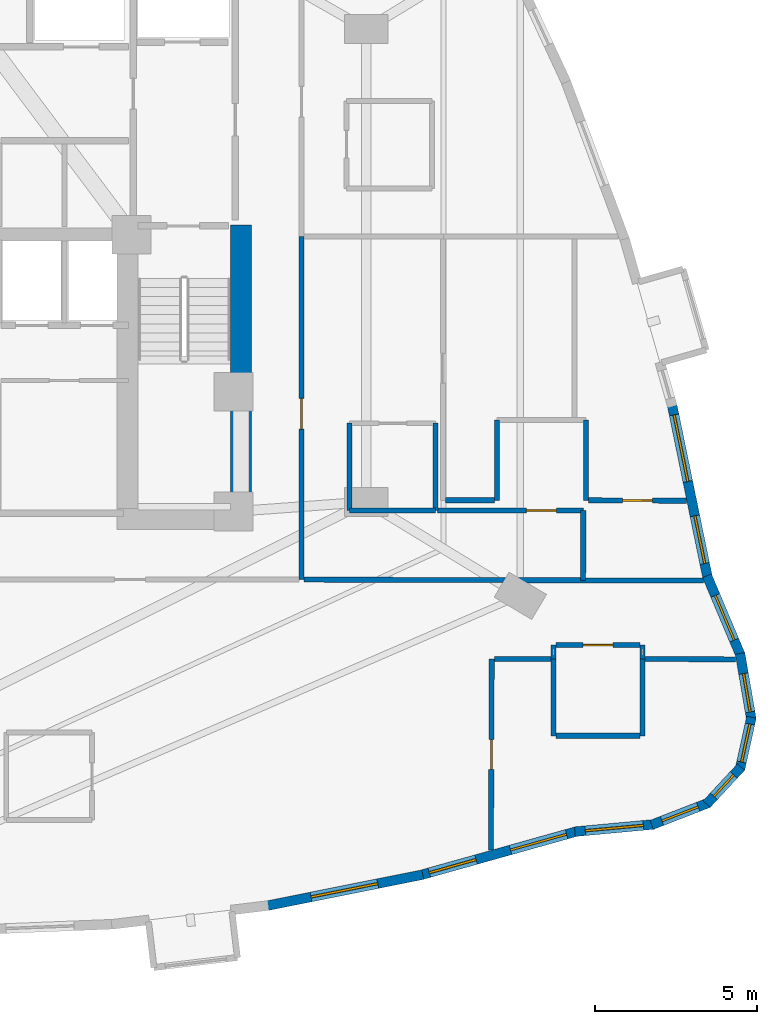
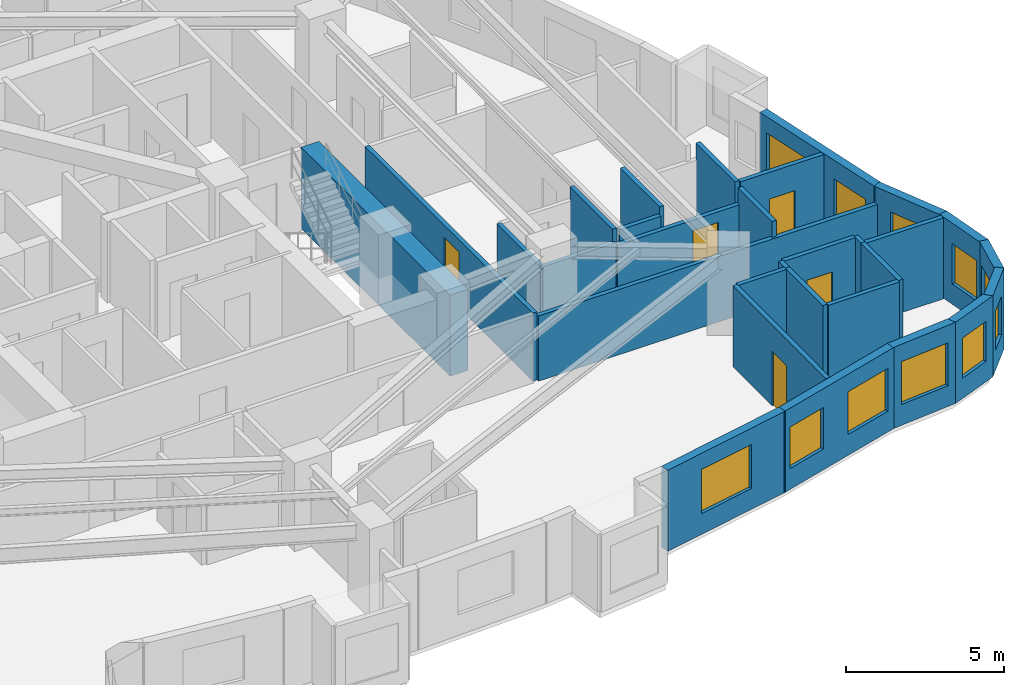
# One storey, part 9 of 13: 30 walls, 11 windows, 5 doors, 16 openings.
"""IFC4 building model written with IfcOpenShell, lengths in metres."""

from ifc_helpers import new_model, si_unit, direction, frame, frame_2d, origin, place, context, subcontext, project, spatial, rectangle, extrude, material, layer, layer_set, type_object, element, fill, save


model = new_model("IFC4")

# Units and contexts
model_context = context("Model", 3, precision=1e-05, world=origin(), true_north=direction((0.0, 1.0)))
body_context = subcontext(model_context, "Body", "Model", "MODEL_VIEW")
ifc_project = project(units=[si_unit("LENGTHUNIT", "METRE"), si_unit("AREAUNIT", "SQUARE_METRE"), si_unit("VOLUMEUNIT", "CUBIC_METRE"), si_unit("PLANEANGLEUNIT", "RADIAN"), si_unit("MASSUNIT", "GRAM", prefix="KILO")], contexts=[model_context])

# Site, building, storey
site_placement = place(None, origin())
site = spatial("IfcSite", under=ifc_project, at=site_placement, CompositionType="ELEMENT")
building_placement = place(site_placement, origin())
building = spatial("IfcBuilding", under=site, at=building_placement, Name="Miruveldt Soraemaru", CompositionType="ELEMENT")
storey_placement = place(building_placement, frame((0.0, 0.0, 63.199951171875)))
storey = spatial("IfcBuildingStorey", under=building, at=storey_placement, Name="L17", CompositionType="ELEMENT", Elevation=63.199951171875)

# Wall
ifc_material_1 = material(Name="Concrete C80/95 (80 MPa)", Category="concrete")
ifc_layer_1 = layer(ifc_material_1, 0.64990234375, Name="Concrete C80/95 (80 MPa)", Category="concrete")
ifc_layer_set_1 = layer_set([ifc_layer_1], Name="Concrete C80/95 (80 MPa)")
wall_type_1 = type_object("IfcWallType", Name="WALL-CW-650", PredefinedType="SHEAR", material=ifc_layer_set_1)
wall_1_placement = place(storey_placement, frame((52.72509765625, 34.949951171875, 0.0), z_axis=(0.0, 0.0, 1.0), x_axis=(0.0, 1.0, 0.0)))
element("IfcWall", 1, at=wall_1_placement, inside=storey, type_object=wall_type_1, Name="L17 Central Core Shear Wall E1", PredefinedType="SHEAR", context=body_context, shape_type="SweptSolid", body=[
    extrude(rectangle(XDim=9.400146484375, YDim=0.64990234375, at=frame_2d((4.7001953125, 0.0))), origin(), (0.0, 0.0, 1.0), 3.125),
])

# Wall, opening, window
ifc_material_2 = material(Name="Precast concrete C45/55 (45 MPa)", Category="concrete")
ifc_layer_2 = layer(ifc_material_2, 0.300048828125, Name="Precast concrete C45/55 (45 MPa)", Category="concrete")
ifc_layer_set_2 = layer_set([ifc_layer_2], Name="Precast concrete C45/55 (45 MPa)")
wall_type_2 = type_object("IfcWallType", Name="WALL-EXT-PC300", PredefinedType="SOLIDWALL", material=ifc_layer_set_2)
wall_2_placement = place(storey_placement, frame((53.50390625, 23.322265625, 0.0), z_axis=(0.0, 0.0, 1.0), x_axis=(0.980580675691, 0.196116135138, 0.0)))
wall_2 = element("IfcWall", 2, at=wall_2_placement, inside=storey, type_object=wall_type_2, Name="L17 Precast Concrete Facade Wall 27", PredefinedType="SOLIDWALL", context=body_context, shape_type="SweptSolid", body=[
    extrude(rectangle(XDim=4.933349609375, YDim=0.300048828125, at=frame_2d((2.466796875, 0.0))), origin(), (0.0, 0.0, 1.0), 3.125),
])
opening_1_placement = place(wall_2_placement, frame((1.416015625, 0.0, 0.800048828125)))
opening_1 = element("IfcOpeningElement", 3, at=opening_1_placement, cuts=wall_2, Name="Opening WN-1", PredefinedType="OPENING", context=body_context, shape_type="SweptSolid", body=[
    extrude(rectangle(XDim=2.10009765625, YDim=1.699951171875, at=frame_2d((1.050048828125, 0.85009765625))), frame((0.0, 0.16015625, 0.0), z_axis=(0.0, -1.0, 0.0), x_axis=(1.0, 0.0, 0.0)), (0.0, 0.0, 1.0), 0.320068359375),
])
ifc_material_3 = material(Name="Triple low-e insulated glazing", Category="glass")
window_type_1 = type_object("IfcWindowType", Name="WIN-PUNCH-2100x1700", PartitioningType="SINGLE_PANEL", PredefinedType="WINDOW", material=ifc_material_3)
window_1_placement = place(opening_1_placement, origin())
window_1 = element("IfcWindow", 4, at=window_1_placement, inside=storey, type_object=window_type_1, Name="L17 Punched Triple-Glazed Window 27.1", OverallHeight=1.699951171875, OverallWidth=2.10009765625, PartitioningType="SINGLE_PANEL", PredefinedType="WINDOW", context=body_context, shape_type="SweptSolid", body=[
    extrude(rectangle(XDim=2.10009765625, YDim=1.699951171875, at=frame_2d((1.050048828125, 0.85009765625))), frame((0.0, 0.030029296875, 0.0), z_axis=(0.0, -1.0, 0.0), x_axis=(1.0, 0.0, 0.0)), (0.0, 0.0, 1.0), 0.06005859375),
])
fill(opening_1, window_1)

# Wall, openings, windows
wall_3_placement = place(storey_placement, frame((58.2734375, 24.2734375, 0.0), z_axis=(0.0, 0.0, 1.0), x_axis=(0.962965029361, 0.269626319614, 0.0)))
wall_3 = element("IfcWall", 5, at=wall_3_placement, inside=storey, type_object=wall_type_2, Name="L17 Precast Concrete Facade Wall 28", PredefinedType="SOLIDWALL", context=body_context, shape_type="SweptSolid", body=[
    extrude(rectangle(XDim=5.022705078125, YDim=0.300048828125, at=frame_2d((2.51123046875, 0.0))), origin(), (0.0, 0.0, 1.0), 3.125),
])
opening_2_placement = place(wall_3_placement, frame((0.281982421875, 0.0, 0.800048828125)))
opening_2 = element("IfcOpeningElement", 6, at=opening_2_placement, cuts=wall_3, Name="Opening WN-3", PredefinedType="OPENING", context=body_context, shape_type="SweptSolid", body=[
    extrude(rectangle(XDim=1.5, YDim=1.60009765625, at=frame_2d((0.75, 0.800048828125))), frame((0.0, 0.16015625, 0.0), z_axis=(0.0, -1.0, 0.0), x_axis=(1.0, 0.0, 0.0)), (0.0, 0.0, 1.0), 0.320068359375),
])
opening_3_placement = place(wall_3_placement, frame((2.884033203125, 0.0, 0.800048828125)))
opening_3 = element("IfcOpeningElement", 7, at=opening_3_placement, cuts=wall_3, Name="Opening WN-2", PredefinedType="OPENING", context=body_context, shape_type="SweptSolid", body=[
    extrude(rectangle(XDim=1.800048828125, YDim=1.64990234375, at=frame_2d((0.89990234375, 0.824951171875))), frame((0.0, 0.16015625, 0.0), z_axis=(0.0, -1.0, 0.0), x_axis=(1.0, 0.0, 0.0)), (0.0, 0.0, 1.0), 0.320068359375),
])
window_type_2 = type_object("IfcWindowType", Name="WIN-PUNCH-1500x1600", PartitioningType="SINGLE_PANEL", PredefinedType="WINDOW", material=ifc_material_3)
window_2_placement = place(opening_2_placement, origin())
window_2 = element("IfcWindow", 8, at=window_2_placement, inside=storey, type_object=window_type_2, Name="L17 Punched Triple-Glazed Window 28.1", OverallHeight=1.60009765625, OverallWidth=1.5, PartitioningType="SINGLE_PANEL", PredefinedType="WINDOW", context=body_context, shape_type="SweptSolid", body=[
    extrude(rectangle(XDim=1.5, YDim=1.60009765625, at=frame_2d((0.75, 0.800048828125))), frame((0.0, 0.030029296875, 0.0), z_axis=(0.0, -1.0, 0.0), x_axis=(1.0, 0.0, 0.0)), (0.0, 0.0, 1.0), 0.06005859375),
])
fill(opening_2, window_2)
window_type_3 = type_object("IfcWindowType", Name="WIN-PUNCH-1800x1650", PartitioningType="SINGLE_PANEL", PredefinedType="WINDOW", material=ifc_material_3)
window_3_placement = place(opening_3_placement, origin())
window_3 = element("IfcWindow", 9, at=window_3_placement, inside=storey, type_object=window_type_3, Name="L17 Punched Triple-Glazed Window 28.2", OverallHeight=1.64990234375, OverallWidth=1.800048828125, PartitioningType="SINGLE_PANEL", PredefinedType="WINDOW", context=body_context, shape_type="SweptSolid", body=[
    extrude(rectangle(XDim=1.800048828125, YDim=1.64990234375, at=frame_2d((0.89990234375, 0.824951171875))), frame((0.0, 0.030029296875, 0.0), z_axis=(0.0, -1.0, 0.0), x_axis=(1.0, 0.0, 0.0)), (0.0, 0.0, 1.0), 0.06005859375),
])
fill(opening_3, window_3)

# Wall, opening, window
wall_4_placement = place(storey_placement, frame((63.04150390625, 25.614990234375, 0.0), z_axis=(0.0, 0.0, 1.0), x_axis=(0.995757962067, 0.092011308982, 0.0)))
wall_4 = element("IfcWall", 10, at=wall_4_placement, inside=storey, type_object=wall_type_2, Name="L17 Precast Concrete Facade Wall 29", PredefinedType="SOLIDWALL", context=body_context, shape_type="SweptSolid", body=[
    extrude(rectangle(XDim=2.446533203125, YDim=0.300048828125, at=frame_2d((1.22314453125, 0.0))), origin(), (0.0, 0.0, 1.0), 3.125),
])
opening_4_placement = place(wall_4_placement, frame((0.323974609375, 0.0, 0.800048828125)))
opening_4 = element("IfcOpeningElement", 11, at=opening_4_placement, cuts=wall_4, Name="Opening WN-2", PredefinedType="OPENING", context=body_context, shape_type="SweptSolid", body=[
    extrude(rectangle(XDim=1.800048828125, YDim=1.64990234375, at=frame_2d((0.89990234375, 0.824951171875))), frame((0.0, 0.16015625, 0.0), z_axis=(0.0, -1.0, 0.0), x_axis=(1.0, 0.0, 0.0)), (0.0, 0.0, 1.0), 0.320068359375),
])
window_4_placement = place(opening_4_placement, origin())
window_4 = element("IfcWindow", 12, at=window_4_placement, inside=storey, type_object=window_type_3, Name="L17 Punched Triple-Glazed Window 29.1", OverallHeight=1.64990234375, OverallWidth=1.800048828125, PartitioningType="SINGLE_PANEL", PredefinedType="WINDOW", context=body_context, shape_type="SweptSolid", body=[
    extrude(rectangle(XDim=1.800048828125, YDim=1.64990234375, at=frame_2d((0.89990234375, 0.824951171875))), frame((0.0, 0.030029296875, 0.0), z_axis=(0.0, -1.0, 0.0), x_axis=(1.0, 0.0, 0.0)), (0.0, 0.0, 1.0), 0.06005859375),
])
fill(opening_4, window_4)

wall_5_placement = place(storey_placement, frame((65.41015625, 25.82421875, 0.0), z_axis=(0.0, 0.0, 1.0), x_axis=(0.932272084915, 0.361757874397, 0.0)))
wall_5 = element("IfcWall", 13, at=wall_5_placement, inside=storey, type_object=wall_type_2, Name="L17 Precast Concrete Facade Wall 30", PredefinedType="SOLIDWALL", context=body_context, shape_type="SweptSolid", body=[
    extrude(rectangle(XDim=1.8828125, YDim=0.300048828125, at=frame_2d((0.94140625, 0.0))), origin(), (0.0, 0.0, 1.0), 3.125),
])
opening_5_placement = place(wall_5_placement, frame((0.342041015625, 0.0, 0.780029296875)))
opening_5 = element("IfcOpeningElement", 14, at=opening_5_placement, cuts=wall_5, Name="Opening WN-4", PredefinedType="OPENING", context=body_context, shape_type="SweptSolid", body=[
    extrude(rectangle(XDim=1.199951171875, YDim=1.550048828125, at=frame_2d((0.60009765625, 0.77490234375))), frame((0.0, 0.16015625, 0.0), z_axis=(0.0, -1.0, 0.0), x_axis=(1.0, 0.0, 0.0)), (0.0, 0.0, 1.0), 0.320068359375),
])
window_type_4 = type_object("IfcWindowType", Name="WIN-PUNCH-1200x1550", PartitioningType="SINGLE_PANEL", PredefinedType="WINDOW", material=ifc_material_3)
window_5_placement = place(opening_5_placement, origin())
window_5 = element("IfcWindow", 15, at=window_5_placement, inside=storey, type_object=window_type_4, Name="L17 Punched Triple-Glazed Window 30.1", OverallHeight=1.550048828125, OverallWidth=1.199951171875, PartitioningType="SINGLE_PANEL", PredefinedType="WINDOW", context=body_context, shape_type="SweptSolid", body=[
    extrude(rectangle(XDim=1.199951171875, YDim=1.550048828125, at=frame_2d((0.60009765625, 0.77490234375))), frame((0.0, 0.030029296875, 0.0), z_axis=(0.0, -1.0, 0.0), x_axis=(1.0, 0.0, 0.0)), (0.0, 0.0, 1.0), 0.06005859375),
])
fill(opening_5, window_5)

wall_6_placement = place(storey_placement, frame((67.109130859375, 26.466796875, 0.0), z_axis=(0.0, 0.0, 1.0), x_axis=(0.68010312741, 0.733116454656, 0.0)))
wall_6 = element("IfcWall", 16, at=wall_6_placement, inside=storey, type_object=wall_type_2, Name="L17 Precast Concrete Facade Wall 31", PredefinedType="SOLIDWALL", context=body_context, shape_type="SweptSolid", body=[
    extrude(rectangle(XDim=1.561279296875, YDim=0.300048828125, at=frame_2d((0.78076171875, 0.0))), origin(), (0.0, 0.0, 1.0), 3.125),
])
opening_6_placement = place(wall_6_placement, frame((0.330078125, 0.0, 0.780029296875)))
opening_6 = element("IfcOpeningElement", 17, at=opening_6_placement, cuts=wall_6, Name="Opening WN-7", PredefinedType="OPENING", context=body_context, shape_type="SweptSolid", body=[
    extrude(rectangle(XDim=0.89990234375, YDim=1.5, at=frame_2d((0.449951171875, 0.75))), frame((0.0, 0.16015625, 0.0), z_axis=(0.0, -1.0, 0.0), x_axis=(1.0, 0.0, 0.0)), (0.0, 0.0, 1.0), 0.320068359375),
])
window_type_5 = type_object("IfcWindowType", Name="WIN-PUNCH-900x1500", PartitioningType="SINGLE_PANEL", PredefinedType="WINDOW", material=ifc_material_3)
window_6_placement = place(opening_6_placement, origin())
window_6 = element("IfcWindow", 18, at=window_6_placement, inside=storey, type_object=window_type_5, Name="L17 Punched Triple-Glazed Window 31.1", OverallHeight=1.5, OverallWidth=0.89990234375, PartitioningType="SINGLE_PANEL", PredefinedType="WINDOW", context=body_context, shape_type="SweptSolid", body=[
    extrude(rectangle(XDim=0.89990234375, YDim=1.5, at=frame_2d((0.449951171875, 0.75))), frame((0.0, 0.030029296875, 0.0), z_axis=(0.0, -1.0, 0.0), x_axis=(1.0, 0.0, 0.0)), (0.0, 0.0, 1.0), 0.06005859375),
])
fill(opening_6, window_6)

wall_7_placement = place(storey_placement, frame((68.1396484375, 27.551513671875, 0.0), z_axis=(0.0, 0.0, 1.0), x_axis=(0.215809114489, 0.976435571916, 0.0)))
wall_7 = element("IfcWall", 19, at=wall_7_placement, inside=storey, type_object=wall_type_2, Name="L17 Precast Concrete Facade Wall 32", PredefinedType="SOLIDWALL", context=body_context, shape_type="SweptSolid", body=[
    extrude(rectangle(XDim=1.636962890625, YDim=0.300048828125, at=frame_2d((0.818359375, 0.0))), origin(), (0.0, 0.0, 1.0), 3.125),
])
opening_7_placement = place(wall_7_placement, frame((0.218994140625, 0.0, 0.780029296875)))
opening_7 = element("IfcOpeningElement", 20, at=opening_7_placement, cuts=wall_7, Name="Opening WN-4", PredefinedType="OPENING", context=body_context, shape_type="SweptSolid", body=[
    extrude(rectangle(XDim=1.199951171875, YDim=1.550048828125, at=frame_2d((0.60009765625, 0.77490234375))), frame((0.0, 0.16015625, 0.0), z_axis=(0.0, -1.0, 0.0), x_axis=(1.0, 0.0, 0.0)), (0.0, 0.0, 1.0), 0.320068359375),
])
window_7_placement = place(opening_7_placement, origin())
window_7 = element("IfcWindow", 21, at=window_7_placement, inside=storey, type_object=window_type_4, Name="L17 Punched Triple-Glazed Window 32.1", OverallHeight=1.550048828125, OverallWidth=1.199951171875, PartitioningType="SINGLE_PANEL", PredefinedType="WINDOW", context=body_context, shape_type="SweptSolid", body=[
    extrude(rectangle(XDim=1.199951171875, YDim=1.550048828125, at=frame_2d((0.60009765625, 0.77490234375))), frame((0.0, 0.030029296875, 0.0), z_axis=(0.0, -1.0, 0.0), x_axis=(1.0, 0.0, 0.0)), (0.0, 0.0, 1.0), 0.06005859375),
])
fill(opening_7, window_7)

wall_8_placement = place(storey_placement, frame((68.4912109375, 29.081298828125, 0.0), z_axis=(0.0, 0.0, 1.0), x_axis=(-0.169321278281, 0.985560908682, 0.0)))
wall_8 = element("IfcWall", 22, at=wall_8_placement, inside=storey, type_object=wall_type_2, Name="L17 Precast Concrete Facade Wall 33", PredefinedType="SOLIDWALL", context=body_context, shape_type="SweptSolid", body=[
    extrude(rectangle(XDim=2.066162109375, YDim=0.300048828125, at=frame_2d((1.033203125, 0.0))), origin(), (0.0, 0.0, 1.0), 3.125),
])
opening_8_placement = place(wall_8_placement, frame((0.235107421875, 0.0, 0.780029296875)))
opening_8 = element("IfcOpeningElement", 23, at=opening_8_placement, cuts=wall_8, Name="Opening WN-4", PredefinedType="OPENING", context=body_context, shape_type="SweptSolid", body=[
    extrude(rectangle(XDim=1.199951171875, YDim=1.550048828125, at=frame_2d((0.60009765625, 0.77490234375))), frame((0.0, 0.16015625, 0.0), z_axis=(0.0, -1.0, 0.0), x_axis=(1.0, 0.0, 0.0)), (0.0, 0.0, 1.0), 0.320068359375),
])
window_8_placement = place(opening_8_placement, origin())
window_8 = element("IfcWindow", 24, at=window_8_placement, inside=storey, type_object=window_type_4, Name="L17 Punched Triple-Glazed Window 33.1", OverallHeight=1.550048828125, OverallWidth=1.199951171875, PartitioningType="SINGLE_PANEL", PredefinedType="WINDOW", context=body_context, shape_type="SweptSolid", body=[
    extrude(rectangle(XDim=1.199951171875, YDim=1.550048828125, at=frame_2d((0.60009765625, 0.77490234375))), frame((0.0, 0.030029296875, 0.0), z_axis=(0.0, -1.0, 0.0), x_axis=(1.0, 0.0, 0.0)), (0.0, 0.0, 1.0), 0.06005859375),
])
fill(opening_8, window_8)

wall_9_placement = place(storey_placement, frame((68.160888671875, 31.051025390625, 0.0), z_axis=(0.0, 0.0, 1.0), x_axis=(-0.388667876127, 0.921377925754, 0.0)))
wall_9 = element("IfcWall", 25, at=wall_9_placement, inside=storey, type_object=wall_type_2, Name="L17 Precast Concrete Facade Wall 34", PredefinedType="SOLIDWALL", context=body_context, shape_type="SweptSolid", body=[
    extrude(rectangle(XDim=2.6796875, YDim=0.300048828125, at=frame_2d((1.33984375, 0.0))), origin(), (0.0, 0.0, 1.0), 3.125),
])
opening_9_placement = place(wall_9_placement, frame((0.52001953125, 0.0, 0.800048828125)))
opening_9 = element("IfcOpeningElement", 26, at=opening_9_placement, cuts=wall_9, Name="Opening WN-3", PredefinedType="OPENING", context=body_context, shape_type="SweptSolid", body=[
    extrude(rectangle(XDim=1.5, YDim=1.60009765625, at=frame_2d((0.75, 0.800048828125))), frame((0.0, 0.16015625, 0.0), z_axis=(0.0, -1.0, 0.0), x_axis=(1.0, 0.0, 0.0)), (0.0, 0.0, 1.0), 0.320068359375),
])
window_9_placement = place(opening_9_placement, origin())
window_9 = element("IfcWindow", 27, at=window_9_placement, inside=storey, type_object=window_type_2, Name="L17 Punched Triple-Glazed Window 34.1", OverallHeight=1.60009765625, OverallWidth=1.5, PartitioningType="SINGLE_PANEL", PredefinedType="WINDOW", context=body_context, shape_type="SweptSolid", body=[
    extrude(rectangle(XDim=1.5, YDim=1.60009765625, at=frame_2d((0.75, 0.800048828125))), frame((0.0, 0.030029296875, 0.0), z_axis=(0.0, -1.0, 0.0), x_axis=(1.0, 0.0, 0.0)), (0.0, 0.0, 1.0), 0.06005859375),
])
fill(opening_9, window_9)

# Wall, openings, windows
wall_10_placement = place(storey_placement, frame((67.14013671875, 33.45361328125, 0.0), z_axis=(0.0, 0.0, 1.0), x_axis=(-0.201576162265, 0.979472843323, 0.0)))
wall_10 = element("IfcWall", 28, at=wall_10_placement, inside=storey, type_object=wall_type_2, Name="L17 Precast Concrete Facade Wall 35", PredefinedType="SOLIDWALL", context=body_context, shape_type="SweptSolid", body=[
    extrude(rectangle(XDim=5.474365234375, YDim=0.300048828125, at=frame_2d((2.7373046875, 0.0))), origin(), (0.0, 0.0, 1.0), 3.125),
])
opening_10_placement = place(wall_10_placement, frame((0.4541015625, 0.0, 0.800048828125)))
opening_10 = element("IfcOpeningElement", 29, at=opening_10_placement, cuts=wall_10, Name="Opening WN-3", PredefinedType="OPENING", context=body_context, shape_type="SweptSolid", body=[
    extrude(rectangle(XDim=1.5, YDim=1.60009765625, at=frame_2d((0.75, 0.800048828125))), frame((0.0, 0.16015625, 0.0), z_axis=(0.0, -1.0, 0.0), x_axis=(1.0, 0.0, 0.0)), (0.0, 0.0, 1.0), 0.320068359375),
])
opening_11_placement = place(wall_10_placement, frame((3.0380859375, 0.0, 0.800048828125)))
opening_11 = element("IfcOpeningElement", 30, at=opening_11_placement, cuts=wall_10, Name="Opening WN-1", PredefinedType="OPENING", context=body_context, shape_type="SweptSolid", body=[
    extrude(rectangle(XDim=2.10009765625, YDim=1.699951171875, at=frame_2d((1.050048828125, 0.85009765625))), frame((0.0, 0.16015625, 0.0), z_axis=(0.0, -1.0, 0.0), x_axis=(1.0, 0.0, 0.0)), (0.0, 0.0, 1.0), 0.320068359375),
])
window_10_placement = place(opening_10_placement, origin())
window_10 = element("IfcWindow", 31, at=window_10_placement, inside=storey, type_object=window_type_2, Name="L17 Punched Triple-Glazed Window 35.1", OverallHeight=1.60009765625, OverallWidth=1.5, PartitioningType="SINGLE_PANEL", PredefinedType="WINDOW", context=body_context, shape_type="SweptSolid", body=[
    extrude(rectangle(XDim=1.5, YDim=1.60009765625, at=frame_2d((0.75, 0.800048828125))), frame((0.0, 0.030029296875, 0.0), z_axis=(0.0, -1.0, 0.0), x_axis=(1.0, 0.0, 0.0)), (0.0, 0.0, 1.0), 0.06005859375),
])
fill(opening_10, window_10)
window_11_placement = place(opening_11_placement, origin())
window_11 = element("IfcWindow", 32, at=window_11_placement, inside=storey, type_object=window_type_1, Name="L17 Punched Triple-Glazed Window 35.2", OverallHeight=1.699951171875, OverallWidth=2.10009765625, PartitioningType="SINGLE_PANEL", PredefinedType="WINDOW", context=body_context, shape_type="SweptSolid", body=[
    extrude(rectangle(XDim=2.10009765625, YDim=1.699951171875, at=frame_2d((1.050048828125, 0.85009765625))), frame((0.0, 0.030029296875, 0.0), z_axis=(0.0, -1.0, 0.0), x_axis=(1.0, 0.0, 0.0)), (0.0, 0.0, 1.0), 0.06005859375),
])
fill(opening_11, window_11)

# Walls
ifc_material_4 = material(Name="Gypsum plasterboard lining", Category="gypsum")
ifc_layer_3 = layer(ifc_material_4, 0.14990234375, Name="Gypsum plasterboard lining", Category="gypsum")
ifc_layer_set_3 = layer_set([ifc_layer_3], Name="Gypsum plasterboard lining")
wall_type_3 = type_object("IfcWallType", Name="WALL-INT-PLUMB", PredefinedType="PLUMBINGWALL", material=ifc_layer_set_3)
wall_11_placement = place(storey_placement, frame((58.72998046875, 35.530029296875, 0.0), z_axis=(0.0, 0.0, 1.0), x_axis=(0.0, 1.0, 0.0)))
element("IfcWall", 33, at=wall_11_placement, inside=storey, type_object=wall_type_3, Name="L17 Partition Wall 58", PredefinedType="PLUMBINGWALL", context=body_context, shape_type="SweptSolid", body=[
    extrude(rectangle(XDim=2.699951171875, YDim=0.14990234375, at=frame_2d((1.35009765625, 0.0))), origin(), (0.0, 0.0, 1.0), 3.125),
])
wall_12_placement = place(storey_placement, frame((56.080078125, 38.22998046875, 0.0), z_axis=(0.0, 0.0, 1.0), x_axis=(0.0, -1.0, 0.0)))
element("IfcWall", 34, at=wall_12_placement, inside=storey, type_object=wall_type_3, Name="L17 Partition Wall 60", PredefinedType="PLUMBINGWALL", context=body_context, shape_type="SweptSolid", body=[
    extrude(rectangle(XDim=2.699951171875, YDim=0.14990234375, at=frame_2d((1.35009765625, 0.0))), origin(), (0.0, 0.0, 1.0), 2.625),
])
wall_13_placement = place(storey_placement, frame((56.080078125, 35.530029296875, 0.0), z_axis=(0.0, 0.0, 1.0), x_axis=(1.0, 0.0, 0.0)))
element("IfcWall", 35, at=wall_13_placement, inside=storey, type_object=wall_type_3, Name="L17 Partition Wall 61", PredefinedType="PLUMBINGWALL", context=body_context, shape_type="SweptSolid", body=[
    extrude(rectangle(XDim=2.64990234375, YDim=0.14990234375, at=frame_2d((1.324951171875, 0.0))), origin(), (0.0, 0.0, 1.0), 2.625),
])

# Wall, opening, door
ifc_material_5 = material(Name="Concrete C40/50 (40 MPa)", Category="concrete")
ifc_layer_4 = layer(ifc_material_5, 0.159912109375, Name="Concrete C40/50 (40 MPa)", Category="concrete")
ifc_layer_set_4 = layer_set([ifc_layer_4], Name="Concrete C40/50 (40 MPa)")
wall_type_4 = type_object("IfcWallType", Name="WALL-INT-RC160", PredefinedType="SOLIDWALL", material=ifc_layer_set_4)
wall_14_placement = place(storey_placement, frame((54.60009765625, 33.403076171875, 0.0), z_axis=(0.0, 0.0, 1.0), x_axis=(0.0, 1.0, 0.0)))
wall_14 = element("IfcWall", 36, at=wall_14_placement, inside=storey, type_object=wall_type_4, Name="L17 Partition Wall 5", PredefinedType="SOLIDWALL", context=body_context, shape_type="SweptSolid", body=[
    extrude(rectangle(XDim=10.596923828125, YDim=0.159912109375, at=frame_2d((5.29833984375, 0.0))), origin(), (0.0, 0.0, 1.0), 2.625),
])
opening_12_placement = place(wall_14_placement, frame((4.64404296875, 0.0, 0.0)))
opening_12 = element("IfcOpeningElement", 37, at=opening_12_placement, cuts=wall_14, Name="Opening FD2", PredefinedType="OPENING", context=body_context, shape_type="SweptSolid", body=[
    extrude(rectangle(XDim=0.949951171875, YDim=2.14990234375, at=frame_2d((0.47509765625, 1.074951171875))), frame((0.0, 0.08984375, 0.0), z_axis=(0.0, -1.0, 0.0), x_axis=(1.0, 0.0, 0.0)), (0.0, 0.0, 1.0), 0.179931640625),
])
ifc_material_6 = material(Name="Anodised aluminium EN AW-6063 T6", Category="aluminium")
door_type_1 = type_object("IfcDoorType", Name="DOOR-FD2-950", OperationType="NOTDEFINED", PredefinedType="DOOR", material=ifc_material_6)
door_1_placement = place(opening_12_placement, origin())
door_1 = element("IfcDoor", 38, at=door_1_placement, inside=storey, type_object=door_type_1, Name="L17 Unit 1706 Entrance Fire Door", OperationType="SINGLE_SWING_LEFT", OverallHeight=2.14990234375, OverallWidth=0.949951171875, PredefinedType="DOOR", context=body_context, shape_type="SweptSolid", body=[
    extrude(rectangle(XDim=0.949951171875, YDim=2.14990234375, at=frame_2d((0.47509765625, 1.074951171875))), frame((0.0, 0.02490234375, 0.0), z_axis=(0.0, -1.0, 0.0), x_axis=(1.0, 0.0, 0.0)), (0.0, 0.0, 1.0), 0.050048828125),
])
fill(opening_12, door_1)

wall_15_placement = place(storey_placement, frame((60.448974609375, 25.053955078125, 0.0), z_axis=(0.0, 0.0, 1.0), x_axis=(0.00389231006, 0.999992424933, 0.0)))
wall_15 = element("IfcWall", 39, at=wall_15_placement, inside=storey, type_object=wall_type_4, Name="L17 Partition Wall 87", PredefinedType="SOLIDWALL", context=body_context, shape_type="SweptSolid", body=[
    extrude(rectangle(XDim=5.89599609375, YDim=0.159912109375, at=frame_2d((2.947998046875, 0.0))), origin(), (0.0, 0.0, 1.0), 3.125),
])
opening_13_placement = place(wall_15_placement, frame((2.488037109375, 0.0, 0.0)))
opening_13 = element("IfcOpeningElement", 40, at=opening_13_placement, cuts=wall_15, Name="Opening D3A", PredefinedType="OPENING", context=body_context, shape_type="SweptSolid", body=[
    extrude(rectangle(XDim=0.919921875, YDim=2.10009765625, at=frame_2d((0.4599609375, 1.050048828125))), frame((0.0, 0.08984375, 0.0), z_axis=(0.0, -1.0, 0.0), x_axis=(1.0, 0.0, 0.0)), (0.0, 0.0, 1.0), 0.179931640625),
])
door_type_2 = type_object("IfcDoorType", Name="DOOR-INT-920", OperationType="NOTDEFINED", PredefinedType="DOOR", material=ifc_material_6)
door_2_placement = place(opening_13_placement, origin())
door_2 = element("IfcDoor", 41, at=door_2_placement, inside=storey, type_object=door_type_2, Name="L17 Unit 1709 BD1 Door", OperationType="SINGLE_SWING_RIGHT", OverallHeight=2.10009765625, OverallWidth=0.919921875, PredefinedType="DOOR", context=body_context, shape_type="SweptSolid", body=[
    extrude(rectangle(XDim=0.919921875, YDim=2.10009765625, at=frame_2d((0.4599609375, 1.050048828125))), frame((0.0, 0.02490234375, 0.0), z_axis=(0.0, -1.0, 0.0), x_axis=(1.0, 0.0, 0.0)), (0.0, 0.0, 1.0), 0.050048828125),
])
fill(opening_13, door_2)

wall_16_placement = place(storey_placement, frame((58.7900390625, 35.530029296875, 0.0), z_axis=(0.0, 0.0, 1.0), x_axis=(1.0, 0.0, 0.0)))
wall_16 = element("IfcWall", 42, at=wall_16_placement, inside=storey, type_object=wall_type_4, Name="L17 Partition Wall 62", PredefinedType="SOLIDWALL", context=body_context, shape_type="SweptSolid", body=[
    extrude(rectangle(XDim=4.510009765625, YDim=0.159912109375, at=frame_2d((2.2548828125, 0.0))), origin(), (0.0, 0.0, 1.0), 2.512939453125),
])
opening_14_placement = place(wall_16_placement, frame((2.7548828125, 0.0, 0.0)))
opening_14 = element("IfcOpeningElement", 43, at=opening_14_placement, cuts=wall_16, Name="Opening D3A", PredefinedType="OPENING", context=body_context, shape_type="SweptSolid", body=[
    extrude(rectangle(XDim=0.919921875, YDim=2.10009765625, at=frame_2d((0.4599609375, 1.050048828125))), frame((0.0, 0.08984375, 0.0), z_axis=(0.0, -1.0, 0.0), x_axis=(1.0, 0.0, 0.0)), (0.0, 0.0, 1.0), 0.179931640625),
])
door_3_placement = place(opening_14_placement, origin())
door_3 = element("IfcDoor", 44, at=door_3_placement, inside=storey, type_object=door_type_2, Name="L17 Unit 1706 KIT Door", OperationType="SINGLE_SWING_LEFT", OverallHeight=2.10009765625, OverallWidth=0.919921875, PredefinedType="DOOR", context=body_context, shape_type="SweptSolid", body=[
    extrude(rectangle(XDim=0.919921875, YDim=2.10009765625, at=frame_2d((0.4599609375, 1.050048828125))), frame((0.0, 0.02490234375, 0.0), z_axis=(0.0, -1.0, 0.0), x_axis=(1.0, 0.0, 0.0)), (0.0, 0.0, 1.0), 0.050048828125),
])
fill(opening_14, door_3)

wall_17_placement = place(storey_placement, frame((66.48193359375, 35.8330078125, 0.0), z_axis=(0.0, 0.0, 1.0), x_axis=(-0.99998400977, 0.005655104272, 0.0)))
wall_17 = element("IfcWall", 45, at=wall_17_placement, inside=storey, type_object=wall_type_4, Name="L17 Partition Wall 65", PredefinedType="SOLIDWALL", context=body_context, shape_type="SweptSolid", body=[
    extrude(rectangle(XDim=3.02197265625, YDim=0.159912109375, at=frame_2d((1.510986328125, 0.0))), origin(), (0.0, 0.0, 1.0), 3.125),
])
opening_15_placement = place(wall_17_placement, frame((1.051025390625, 0.0, 0.0)))
opening_15 = element("IfcOpeningElement", 46, at=opening_15_placement, cuts=wall_17, Name="Opening D3A", PredefinedType="OPENING", context=body_context, shape_type="SweptSolid", body=[
    extrude(rectangle(XDim=0.919921875, YDim=2.10009765625, at=frame_2d((0.4599609375, 1.050048828125))), frame((0.0, 0.08984375, 0.0), z_axis=(0.0, -1.0, 0.0), x_axis=(1.0, 0.0, 0.0)), (0.0, 0.0, 1.0), 0.179931640625),
])
door_4_placement = place(opening_15_placement, origin())
door_4 = element("IfcDoor", 47, at=door_4_placement, inside=storey, type_object=door_type_2, Name="L17 Unit 1706 BD2 Door", OperationType="SINGLE_SWING_LEFT", OverallHeight=2.10009765625, OverallWidth=0.919921875, PredefinedType="DOOR", context=body_context, shape_type="SweptSolid", body=[
    extrude(rectangle(XDim=0.919921875, YDim=2.10009765625, at=frame_2d((0.4599609375, 1.050048828125))), frame((0.0, 0.02490234375, 0.0), z_axis=(0.0, -1.0, 0.0), x_axis=(1.0, 0.0, 0.0)), (0.0, 0.0, 1.0), 0.050048828125),
])
fill(opening_15, door_4)

wall_18_placement = place(storey_placement, frame((65.050048828125, 31.3779296875, 0.0), z_axis=(0.0, 0.0, 1.0), x_axis=(-1.0, 0.0, 0.0)))
wall_18 = element("IfcWall", 48, at=wall_18_placement, inside=storey, type_object=wall_type_4, Name="L17 Partition Wall 85", PredefinedType="SOLIDWALL", context=body_context, shape_type="SweptSolid", body=[
    extrude(rectangle(XDim=2.590087890625, YDim=0.159912109375, at=frame_2d((1.294921875, 0.0))), origin(), (0.0, 0.0, 1.0), 3.125),
])
opening_16_placement = place(wall_18_placement, frame((0.8349609375, 0.0, 0.0)))
opening_16 = element("IfcOpeningElement", 49, at=opening_16_placement, cuts=wall_18, Name="Opening D3A", PredefinedType="OPENING", context=body_context, shape_type="SweptSolid", body=[
    extrude(rectangle(XDim=0.919921875, YDim=2.10009765625, at=frame_2d((0.4599609375, 1.050048828125))), frame((0.0, 0.08984375, 0.0), z_axis=(0.0, -1.0, 0.0), x_axis=(1.0, 0.0, 0.0)), (0.0, 0.0, 1.0), 0.179931640625),
])
door_5_placement = place(opening_16_placement, origin())
door_5 = element("IfcDoor", 50, at=door_5_placement, inside=storey, type_object=door_type_2, Name="L17 Unit 1709 KIT Door", OperationType="SINGLE_SWING_LEFT", OverallHeight=2.10009765625, OverallWidth=0.919921875, PredefinedType="DOOR", context=body_context, shape_type="SweptSolid", body=[
    extrude(rectangle(XDim=0.919921875, YDim=2.10009765625, at=frame_2d((0.4599609375, 1.050048828125))), frame((0.0, 0.02490234375, 0.0), z_axis=(0.0, -1.0, 0.0), x_axis=(1.0, 0.0, 0.0)), (0.0, 0.0, 1.0), 0.050048828125),
])
fill(opening_16, door_5)

# Walls
wall_19_placement = place(storey_placement, frame((54.679931640625, 33.39990234375, 0.0), z_axis=(0.0, 0.0, 1.0), x_axis=(0.999996632645, -0.002595129834, 0.0)))
element("IfcWall", 51, at=wall_19_placement, inside=storey, type_object=wall_type_4, Name="L17 Partition Wall 67", PredefinedType="SOLIDWALL", context=body_context, shape_type="SweptSolid", body=[
    extrude(rectangle(XDim=12.323974609375, YDim=0.159912109375, at=frame_2d((6.162109375, 0.0))), origin(), (0.0, 0.0, 1.0), 2.512939453125),
])
wall_20_placement = place(storey_placement, frame((65.2099609375, 30.949951171875, 0.0), z_axis=(0.0, 0.0, 1.0), x_axis=(0.999987604833, -0.004978973923, 0.0)))
element("IfcWall", 52, at=wall_20_placement, inside=storey, type_object=wall_type_4, Name="L17 Partition Wall 89", PredefinedType="SOLIDWALL", context=body_context, shape_type="SweptSolid", body=[
    extrude(rectangle(XDim=2.794921875, YDim=0.159912109375, at=frame_2d((1.3974609375, 0.0))), origin(), (0.0, 0.0, 1.0), 3.125),
])
wall_21_placement = place(storey_placement, frame((62.4599609375, 28.577880859375, 0.0), z_axis=(0.0, 0.0, 1.0), x_axis=(1.0, 0.0, 0.0)))
element("IfcWall", 53, at=wall_21_placement, inside=storey, type_object=wall_type_4, Name="L17 Partition Wall 91", PredefinedType="SOLIDWALL", context=body_context, shape_type="SweptSolid", body=[
    extrude(rectangle(XDim=2.590087890625, YDim=0.159912109375, at=frame_2d((1.294921875, 0.0))), origin(), (0.0, 0.0, 1.0), 3.125),
])
for number, where, z_axis, x_axis, name in (
    (54, (60.6298828125, 38.330078125, 0.0), (0.0, 0.0, 1.0), (0.0, -1.0, 0.0), "L17 Partition Wall 68"),
    (55, (63.3798828125, 35.85009765625, 0.0), (0.0, 0.0, 1.0), (0.0, 1.0, 0.0), "L17 Partition Wall 69"),
):
    element("IfcWall", number, at=place(storey_placement, frame(where, z_axis=z_axis, x_axis=x_axis)), inside=storey, type_object=wall_type_4, Name=name, PredefinedType="SOLIDWALL", context=body_context, shape_type="SweptSolid", body=[
        extrude(rectangle(XDim=2.47998046875, YDim=0.159912109375, at=frame_2d((1.239990234375, 0.0))), origin(), (0.0, 0.0, 1.0), 3.125),
    ])
for number, where, z_axis, x_axis, name in (
    (56, (62.3798828125, 30.949951171875, 0.0), (0.0, 0.0, 1.0), (0.0, -1.0, 0.0), "L17 Partition Wall 90"),
    (57, (65.1298828125, 28.577880859375, 0.0), (0.0, 0.0, 1.0), (0.0, 1.0, 0.0), "L17 Partition Wall 92"),
):
    element("IfcWall", number, at=place(storey_placement, frame(where, z_axis=z_axis, x_axis=x_axis)), inside=storey, type_object=wall_type_4, Name=name, PredefinedType="SOLIDWALL", context=body_context, shape_type="SweptSolid", body=[
        extrude(rectangle(XDim=2.3720703125, YDim=0.159912109375, at=frame_2d((1.18603515625, 0.0))), origin(), (0.0, 0.0, 1.0), 3.125),
    ])
wall_22_placement = place(storey_placement, frame((63.300048828125, 35.530029296875, 0.0), z_axis=(0.0, 0.0, 1.0), x_axis=(-0.002608884044, -0.999996596856, 0.0)))
element("IfcWall", 58, at=wall_22_placement, inside=storey, type_object=wall_type_4, Name="L17 Partition Closure Return 1", PredefinedType="SOLIDWALL", context=body_context, shape_type="SweptSolid", body=[
    extrude(rectangle(XDim=2.15234375, YDim=0.159912109375, at=frame_2d((1.076171875, 0.0))), origin(), (0.0, 0.0, 1.0), 3.125),
])
wall_23_placement = place(storey_placement, frame((60.552001953125, 30.949951171875, 0.0), z_axis=(0.0, 0.0, 1.0), x_axis=(1.0, 0.0, 0.0)))
element("IfcWall", 59, at=wall_23_placement, inside=storey, type_object=wall_type_4, Name="L17 Partition Wall 88", PredefinedType="SOLIDWALL", context=body_context, shape_type="SweptSolid", body=[
    extrude(rectangle(XDim=1.748046875, YDim=0.159912109375, at=frame_2d((0.8740234375, 0.0))), origin(), (0.0, 0.0, 1.0), 3.125),
])
wall_24_placement = place(storey_placement, frame((60.550048828125, 35.85009765625, 0.0), z_axis=(0.0, 0.0, 1.0), x_axis=(-1.0, 0.0, 0.0)))
element("IfcWall", 60, at=wall_24_placement, inside=storey, type_object=wall_type_4, Name="L17 Partition Wall 63", PredefinedType="SOLIDWALL", context=body_context, shape_type="SweptSolid", body=[
    extrude(rectangle(XDim=1.5009765625, YDim=0.159912109375, at=frame_2d((0.75048828125, 0.0))), origin(), (0.0, 0.0, 1.0), 2.81298828125),
])
for number, where, z_axis, x_axis, name in (
    (61, (65.1298828125, 30.949951171875, 0.0), (0.0, 0.0, 1.0), (0.0, 1.0, 0.0), "L17 Partition Wall 84"),
    (62, (62.3798828125, 31.3779296875, 0.0), (0.0, 0.0, 1.0), (0.0, -1.0, 0.0), "L17 Partition Wall 86"),
):
    element("IfcWall", number, at=place(storey_placement, frame(where, z_axis=z_axis, x_axis=x_axis)), inside=storey, type_object=wall_type_4, Name=name, PredefinedType="SOLIDWALL", context=body_context, shape_type="SweptSolid", body=[
        extrude(rectangle(XDim=0.427978515625, YDim=0.159912109375, at=frame_2d((0.2138671875, 0.0))), origin(), (0.0, 0.0, 1.0), 3.125),
    ])

save(model, "model.ifc")
